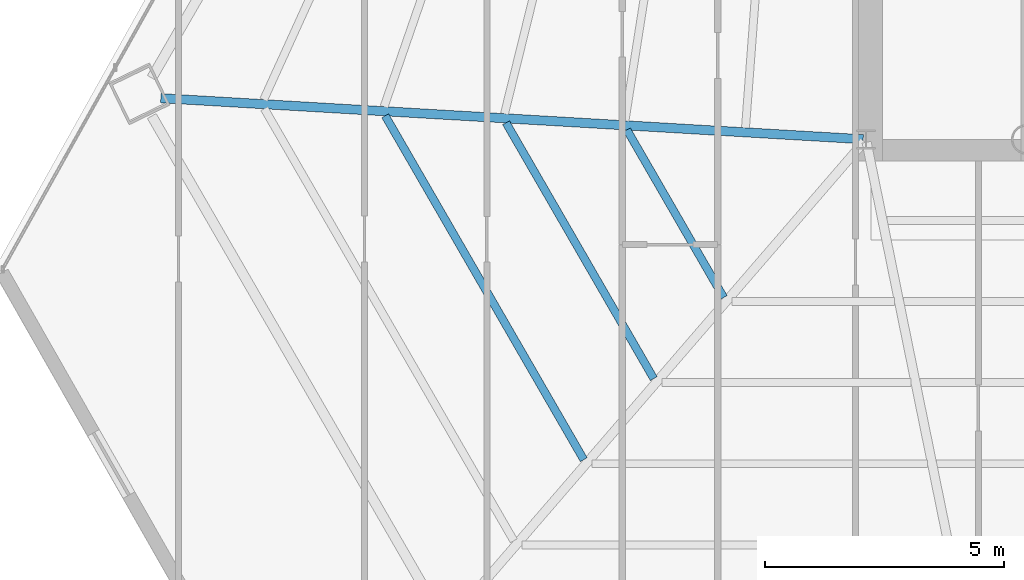
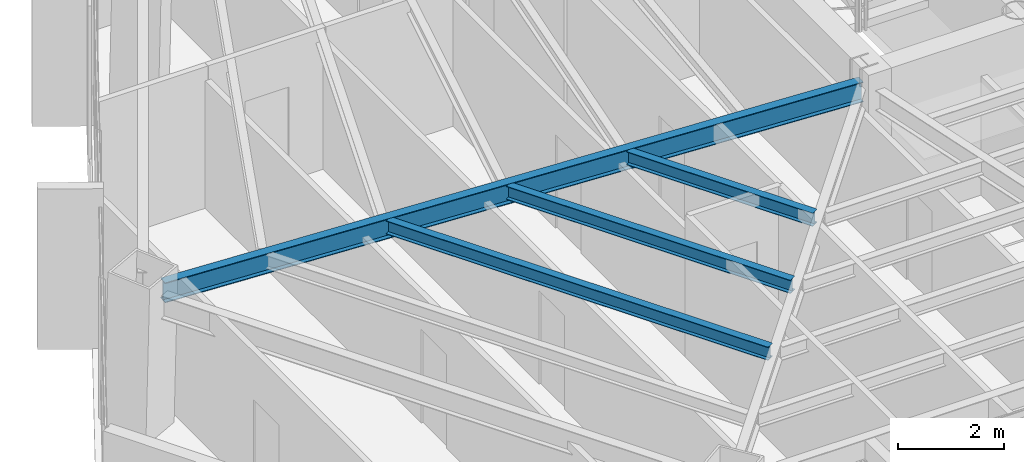
# One storey, part 7 of 40: 4 beams.
"""IFC4 building model written with IfcOpenShell, lengths in metres."""

from ifc_helpers import new_model, si_unit, direction, frame, origin, origin_2d, place, context, subcontext, project, spatial, i_section, extrude, source, transform, mapped, material, material_profile, profile_set, type_object, type_shapes, element, save


model = new_model("IFC4")

# Units and contexts
model_context = context("Model", 3, precision=1e-05, world=origin(), true_north=direction((0.0, 1.0)))
body_context = subcontext(model_context, "Body", "Model", "MODEL_VIEW")
ifc_project = project(units=[si_unit("LENGTHUNIT", "METRE"), si_unit("AREAUNIT", "SQUARE_METRE"), si_unit("VOLUMEUNIT", "CUBIC_METRE"), si_unit("PLANEANGLEUNIT", "RADIAN"), si_unit("MASSUNIT", "GRAM", prefix="KILO")], contexts=[model_context])

# Site, building, storey
site_placement = place(None, origin())
site = spatial("IfcSite", under=ifc_project, at=site_placement, CompositionType="ELEMENT")
building_placement = place(site_placement, origin())
building = spatial("IfcBuilding", under=site, at=building_placement, Name="Caelisora Broadcast Tower", CompositionType="ELEMENT")
storey_placement = place(building_placement, frame((0.0, 0.0, 146.39990234375)))
storey = spatial("IfcBuildingStorey", under=building, at=storey_placement, Name="L38", CompositionType="ELEMENT", Elevation=146.39990234375)

# Beams
ifc_material = material(Name="Steel Grade 350 (AS/NZS 3679.1)", Category="steel")
ifc_material_profile_1 = material_profile(ifc_material, i_section(OverallWidth=0.19091796875, OverallDepth=0.46044921875, WebThickness=0.010009765625, FlangeThickness=0.01611328125, at=origin_2d()), Name="Steel Grade 350 (AS/NZS 3679.1)")
ifc_profile_set_1 = profile_set([ifc_material_profile_1], Name="Steel Grade 350 (AS/NZS 3679.1)")
beam_type_1 = type_object("IfcBeamType", Name="PG06", PredefinedType="BEAM", material=ifc_profile_set_1)
shared_shape_1 = source(origin(), body_context, "Body", "SweptSolid", [
    extrude(i_section(OverallWidth=0.19091796875, OverallDepth=0.46044921875, WebThickness=0.010009765625, FlangeThickness=0.01611328125, at=origin_2d()), origin(), (0.0, 0.0, 1.0), 14.714111328125),
])
type_shapes(beam_type_1, [shared_shape_1])
beam_1_placement = place(storey_placement, frame((30.440185546875, 17.403564453125, 3.02001953125), z_axis=(-0.998293942145, 0.058388398471, 0.0), x_axis=(-0.058388398471, -0.998293942145, 0.0)))
element("IfcBeam", 1, at=beam_1_placement, inside=storey, type_object=beam_type_1, Name="L38 beam PG06", PredefinedType="BEAM", context=body_context, shape_type="MappedRepresentation", body=[
    mapped(shared_shape_1, transform((0.0, 0.0, 0.0), scale=1.0)),
])
ifc_material_profile_2 = material_profile(ifc_material, i_section(OverallWidth=0.166015625, OverallDepth=0.30712890625, WebThickness=0.006591796875, FlangeThickness=0.01171875, at=origin_2d()), Name="Steel Grade 350 (AS/NZS 3679.1)")
ifc_profile_set_2 = profile_set([ifc_material_profile_2], Name="Steel Grade 350 (AS/NZS 3679.1)")
beam_type_2 = type_object("IfcBeamType", Name="SB03", PredefinedType="JOIST", material=ifc_profile_set_2)
shared_shape_2 = source(origin(), body_context, "Body", "SweptSolid", [
    extrude(i_section(OverallWidth=0.166015625, OverallDepth=0.30712890625, WebThickness=0.006591796875, FlangeThickness=0.01171875, at=origin_2d()), origin(), (0.0, 0.0, 1.0), 4.048095703125),
])
beam_2_placement = place(storey_placement, frame((25.499755859375, 17.599365234375, 3.096435546875), z_axis=(0.499966081581, -0.866044985707, 0.0), x_axis=(0.866044985707, 0.499966081581, 0.0)))
element("IfcBeam", 2, at=beam_2_placement, inside=storey, type_object=beam_type_2, Name="L38 beam SB03", PredefinedType="JOIST", context=body_context, shape_type="MappedRepresentation", body=[
    mapped(shared_shape_2, transform((0.0, 0.0, 0.0), scale=1.0)),
])
shared_shape_3 = source(origin(), body_context, "Body", "SweptSolid", [
    extrude(i_section(OverallWidth=0.166015625, OverallDepth=0.30712890625, WebThickness=0.006591796875, FlangeThickness=0.01171875, at=origin_2d()), origin(), (0.0, 0.0, 1.0), 6.17724609375),
])
beam_3_placement = place(storey_placement, frame((22.9716796875, 17.747314453125, 3.096435546875), z_axis=(0.50000299093, -0.866023676963, 0.0), x_axis=(0.866023676963, 0.50000299093, 0.0)))
element("IfcBeam", 3, at=beam_3_placement, inside=storey, type_object=beam_type_2, Name="L38 beam SB03", PredefinedType="JOIST", context=body_context, shape_type="MappedRepresentation", body=[
    mapped(shared_shape_3, transform((0.0, 0.0, 0.0), scale=1.0)),
])
shared_shape_4 = source(origin(), body_context, "Body", "SweptSolid", [
    extrude(i_section(OverallWidth=0.166015625, OverallDepth=0.30712890625, WebThickness=0.006591796875, FlangeThickness=0.01171875, at=origin_2d()), origin(), (0.0, 0.0, 1.0), 8.305908203125),
])
type_shapes(beam_type_2, [shared_shape_2, shared_shape_3, shared_shape_4])
beam_4_placement = place(storey_placement, frame((20.443603515625, 17.89501953125, 3.096435546875), z_axis=(0.500011662214, -0.866018670497, 0.0), x_axis=(0.866018670497, 0.500011662214, 0.0)))
element("IfcBeam", 4, at=beam_4_placement, inside=storey, type_object=beam_type_2, Name="L38 beam SB03", PredefinedType="JOIST", context=body_context, shape_type="MappedRepresentation", body=[
    mapped(shared_shape_4, transform((0.0, 0.0, 0.0), scale=1.0)),
])

save(model, "model.ifc")
